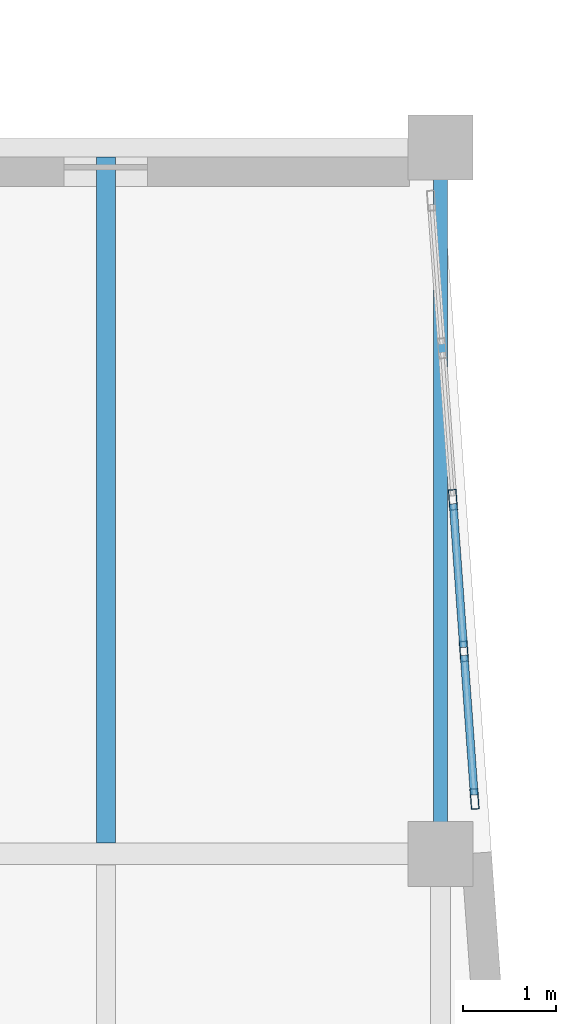
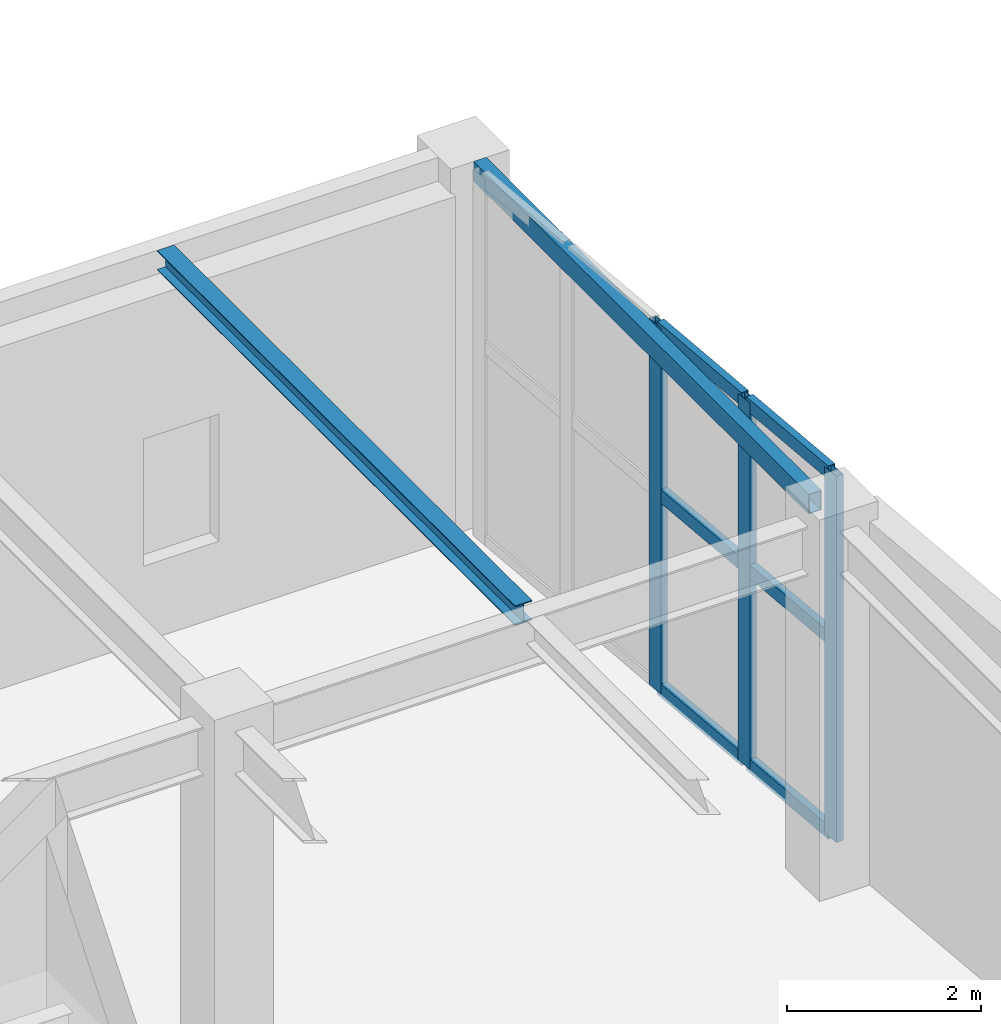
# One storey, part 28 of 72: 9 members, 2 beams, 1 element without a shape of its own.
"""IFC4 building model written with IfcOpenShell, lengths in metres."""

from ifc_helpers import new_model, si_unit, direction, frame, origin, origin_2d, place, context, subcontext, project, spatial, hollow_rectangle, i_section, extrude, material, layer, layer_set, material_profile, profile_set, type_object, element, aggregate, save


model = new_model("IFC4")

# Units and contexts
model_context = context("Model", 3, precision=1e-05, world=origin(), true_north=direction((0.0, 1.0)))
body_context = subcontext(model_context, "Body", "Model", "MODEL_VIEW")
ifc_project = project(units=[si_unit("LENGTHUNIT", "METRE"), si_unit("AREAUNIT", "SQUARE_METRE"), si_unit("VOLUMEUNIT", "CUBIC_METRE"), si_unit("PLANEANGLEUNIT", "RADIAN"), si_unit("MASSUNIT", "GRAM", prefix="KILO")], contexts=[model_context])

# Site, building, storey
site_placement = place(None, origin())
site = spatial("IfcSite", under=ifc_project, at=site_placement, CompositionType="ELEMENT")
building_placement = place(site_placement, origin())
building = spatial("IfcBuilding", under=site, at=building_placement, Name="Xicomal Pleat Aquarium", CompositionType="ELEMENT")
storey_placement = place(building_placement, frame((0.0, 0.0, 10.5)))
storey = spatial("IfcBuildingStorey", under=building, at=storey_placement, Name="L03", CompositionType="ELEMENT", Elevation=10.5)

# Beams
ifc_material_1 = material(Name="Structural steel A992 Gr 50", Category="steel")
ifc_material_profile_1 = material_profile(ifc_material_1, i_section(OverallWidth=0.201904296875, OverallDepth=0.2470703125, WebThickness=0.00732421875, FlangeThickness=0.010986328125, at=origin_2d()), Name="IR 250x49")
ifc_profile_set_1 = profile_set([ifc_material_profile_1], Name="Structural steel A992 Gr 50")
beam_type_1 = type_object("IfcBeamType", Name="BM-STL-IR250", PredefinedType="JOIST", material=ifc_profile_set_1)
beam_1_placement = place(storey_placement, frame((114.60009765625, 60.91796875, 4.486572265625), z_axis=(0.0, 1.0, 0.0), x_axis=(-1.0, 0.0, 0.0)))
element("IfcBeam", 1, at=beam_1_placement, inside=storey, type_object=beam_type_1, Name="L03 framing beam FBJ-L03-14-J-1", PredefinedType="JOIST", context=body_context, shape_type="SweptSolid", body=[
    extrude(i_section(OverallWidth=0.201904296875, OverallDepth=0.2470703125, WebThickness=0.00732421875, FlangeThickness=0.010986328125, at=origin_2d()), origin(), (0.0, 0.0, 1.0), 7.379150390625),
])
ifc_material_2 = material(Name="Structural steel A500 Gr C", Category="steel")
ifc_material_profile_2 = material_profile(ifc_material_2, hollow_rectangle(XDim=0.14990234375, YDim=0.25, WallThickness=0.010009765625, at=origin_2d()), Name="OR 250x150x10")
ifc_profile_set_2 = profile_set([ifc_material_profile_2], Name="Structural steel A500 Gr C")
beam_type_2 = type_object("IfcBeamType", Name="BM-STL-OR250", PredefinedType="SPANDREL", material=ifc_profile_set_2)
beam_2_placement = place(storey_placement, frame((118.199951171875, 61.14501953125, 4.485107421875), z_axis=(0.0, 1.0, 0.0), x_axis=(-1.0, 0.0, 0.0)))
element("IfcBeam", 2, at=beam_2_placement, inside=storey, type_object=beam_type_2, Name="L03 framing beam FGY-L03-15-J-K", PredefinedType="SPANDREL", context=body_context, shape_type="SweptSolid", body=[
    extrude(hollow_rectangle(XDim=0.14990234375, YDim=0.25, WallThickness=0.010009765625, at=origin_2d()), origin(), (0.0, 0.0, 1.0), 6.909912109375),
])

# Curtain wall, members
ifc_material_3 = material(Name="Bronze anodized aluminium 6063-T6", Category="aluminium")
ifc_layer = layer(ifc_material_3, 0.159912109375)
ifc_layer_set = layer_set([ifc_layer], Name="Bronze anodized aluminium 6063-T6")
curtain_wall_type = type_object("IfcCurtainWallType", Name="CW-SYS-03", PredefinedType="NOTDEFINED", material=ifc_layer_set)
curtain_wall_placement = place(storey_placement, origin())
curtain_wall = element("IfcCurtainWall", 3, at=curtain_wall_placement, inside=storey, type_object=curtain_wall_type, Name="L03 unitised curtain wall CW-L03-158", PredefinedType="NOTDEFINED")
ifc_material_4 = material(Name="Bronze anodized aluminium 6063-T6", Category="aluminium")
ifc_material_profile_3 = material_profile(ifc_material_4, hollow_rectangle(XDim=0.0849609375, YDim=0.219970703125, WallThickness=0.0048828125, at=origin_2d()), Name="ALU MULL 85x220")
ifc_profile_set_3 = profile_set([ifc_material_profile_3], Name="Bronze anodized aluminium 6063-T6")
member_type_1 = type_object("IfcMemberType", Name="CWM-85x220", PredefinedType="MULLION", material=ifc_profile_set_3)
member_1_placement = place(storey_placement, frame((118.333984375, 64.609619140625, 0.0), z_axis=(0.0, 0.0, 1.0), x_axis=(0.997392298421, 0.072170652282, 0.0)))
member_1 = element("IfcMember", 4, at=member_1_placement, type_object=member_type_1, Name="CW-03 mullion 3", PredefinedType="MULLION", context=body_context, shape_type="SweptSolid", body=[
    extrude(hollow_rectangle(XDim=0.0849609375, YDim=0.219970703125, WallThickness=0.0048828125, at=origin_2d()), origin(), (0.0, 0.0, 1.0), 4.610107421875),
])
member_2_placement = place(storey_placement, frame((118.451904296875, 62.978759765625, 0.0), z_axis=(0.0, 0.0, 1.0), x_axis=(0.997392298421, 0.072170652282, 0.0)))
member_2 = element("IfcMember", 5, at=member_2_placement, type_object=member_type_1, Name="CW-03 mullion 4", PredefinedType="MULLION", context=body_context, shape_type="SweptSolid", body=[
    extrude(hollow_rectangle(XDim=0.0849609375, YDim=0.219970703125, WallThickness=0.0048828125, at=origin_2d()), origin(), (0.0, 0.0, 1.0), 4.610107421875),
])
member_3_placement = place(storey_placement, frame((118.56689453125, 61.390380859375, 0.0), z_axis=(0.0, 0.0, 1.0), x_axis=(0.997392298421, 0.072170652282, 0.0)))
member_3 = element("IfcMember", 6, at=member_3_placement, type_object=member_type_1, Name="CW-03 mullion 5", PredefinedType="MULLION", context=body_context, shape_type="SweptSolid", body=[
    extrude(hollow_rectangle(XDim=0.0849609375, YDim=0.219970703125, WallThickness=0.0048828125, at=origin_2d()), origin(), (0.0, 0.0, 1.0), 4.610107421875),
])
ifc_material_5 = material(Name="Bronze anodized aluminium 6063-T6", Category="aluminium")
ifc_material_profile_4 = material_profile(ifc_material_5, hollow_rectangle(XDim=0.0849609375, YDim=0.169921875, WallThickness=0.0048828125, at=origin_2d()), Name="ALU TRAN 85x170")
ifc_profile_set_4 = profile_set([ifc_material_profile_4], Name="Bronze anodized aluminium 6063-T6")
member_type_2 = type_object("IfcMemberType", Name="CWT-85x170", PredefinedType="USERDEFINED", material=ifc_profile_set_4)
member_4_placement = place(storey_placement, frame((118.337158203125, 64.567138671875, 0.04248046875), z_axis=(0.072131214167, -0.997395151353, 0.0), x_axis=(0.997395151353, 0.072131214167, 0.0)))
member_4 = element("IfcMember", 7, at=member_4_placement, type_object=member_type_2, Name="CW-03 transom 3.1", ObjectType="TRANSOM", PredefinedType="USERDEFINED", context=body_context, shape_type="SweptSolid", body=[
    extrude(hollow_rectangle(XDim=0.0849609375, YDim=0.169921875, WallThickness=0.0048828125, at=origin_2d()), origin(), (0.0, 0.0, 1.0), 1.55029296875),
])
member_5_placement = place(storey_placement, frame((118.337158203125, 64.567138671875, 2.489013671875), z_axis=(0.072131214167, -0.997395151353, 0.0), x_axis=(0.997395151353, 0.072131214167, 0.0)))
member_5 = element("IfcMember", 8, at=member_5_placement, type_object=member_type_2, Name="CW-03 transom 3.2", ObjectType="TRANSOM", PredefinedType="USERDEFINED", context=body_context, shape_type="SweptSolid", body=[
    extrude(hollow_rectangle(XDim=0.0849609375, YDim=0.169921875, WallThickness=0.0048828125, at=origin_2d()), origin(), (0.0, 0.0, 1.0), 1.55029296875),
])
member_6_placement = place(storey_placement, frame((118.337158203125, 64.567138671875, 4.5673828125), z_axis=(0.072131214167, -0.997395151353, 0.0), x_axis=(0.997395151353, 0.072131214167, 0.0)))
member_6 = element("IfcMember", 9, at=member_6_placement, type_object=member_type_2, Name="CW-03 transom 3.3", ObjectType="TRANSOM", PredefinedType="USERDEFINED", context=body_context, shape_type="SweptSolid", body=[
    extrude(hollow_rectangle(XDim=0.0849609375, YDim=0.169921875, WallThickness=0.0048828125, at=origin_2d()), origin(), (0.0, 0.0, 1.0), 1.55029296875),
])
member_7_placement = place(storey_placement, frame((118.455078125, 62.936279296875, 0.04248046875), z_axis=(0.072236899345, -0.997387502615, 0.0), x_axis=(0.997387502615, 0.072236899345, 0.0)))
member_7 = element("IfcMember", 10, at=member_7_placement, type_object=member_type_2, Name="CW-03 transom 4.1", ObjectType="TRANSOM", PredefinedType="USERDEFINED", context=body_context, shape_type="SweptSolid", body=[
    extrude(hollow_rectangle(XDim=0.0849609375, YDim=0.169921875, WallThickness=0.0048828125, at=origin_2d()), origin(), (0.0, 0.0, 1.0), 1.50732421875),
])
member_8_placement = place(storey_placement, frame((118.455078125, 62.936279296875, 2.489013671875), z_axis=(0.072236899345, -0.997387502615, 0.0), x_axis=(0.997387502615, 0.072236899345, 0.0)))
member_8 = element("IfcMember", 11, at=member_8_placement, type_object=member_type_2, Name="CW-03 transom 4.2", ObjectType="TRANSOM", PredefinedType="USERDEFINED", context=body_context, shape_type="SweptSolid", body=[
    extrude(hollow_rectangle(XDim=0.0849609375, YDim=0.169921875, WallThickness=0.0048828125, at=origin_2d()), origin(), (0.0, 0.0, 1.0), 1.50732421875),
])
member_9_placement = place(storey_placement, frame((118.455078125, 62.936279296875, 4.5673828125), z_axis=(0.072236899345, -0.997387502615, 0.0), x_axis=(0.997387502615, 0.072236899345, 0.0)))
member_9 = element("IfcMember", 12, at=member_9_placement, type_object=member_type_2, Name="CW-03 transom 4.3", ObjectType="TRANSOM", PredefinedType="USERDEFINED", context=body_context, shape_type="SweptSolid", body=[
    extrude(hollow_rectangle(XDim=0.0849609375, YDim=0.169921875, WallThickness=0.0048828125, at=origin_2d()), origin(), (0.0, 0.0, 1.0), 1.50732421875),
])
aggregate(curtain_wall, [member_1, member_2, member_3, member_4, member_5, member_6, member_7, member_8, member_9])

save(model, "model.ifc")
